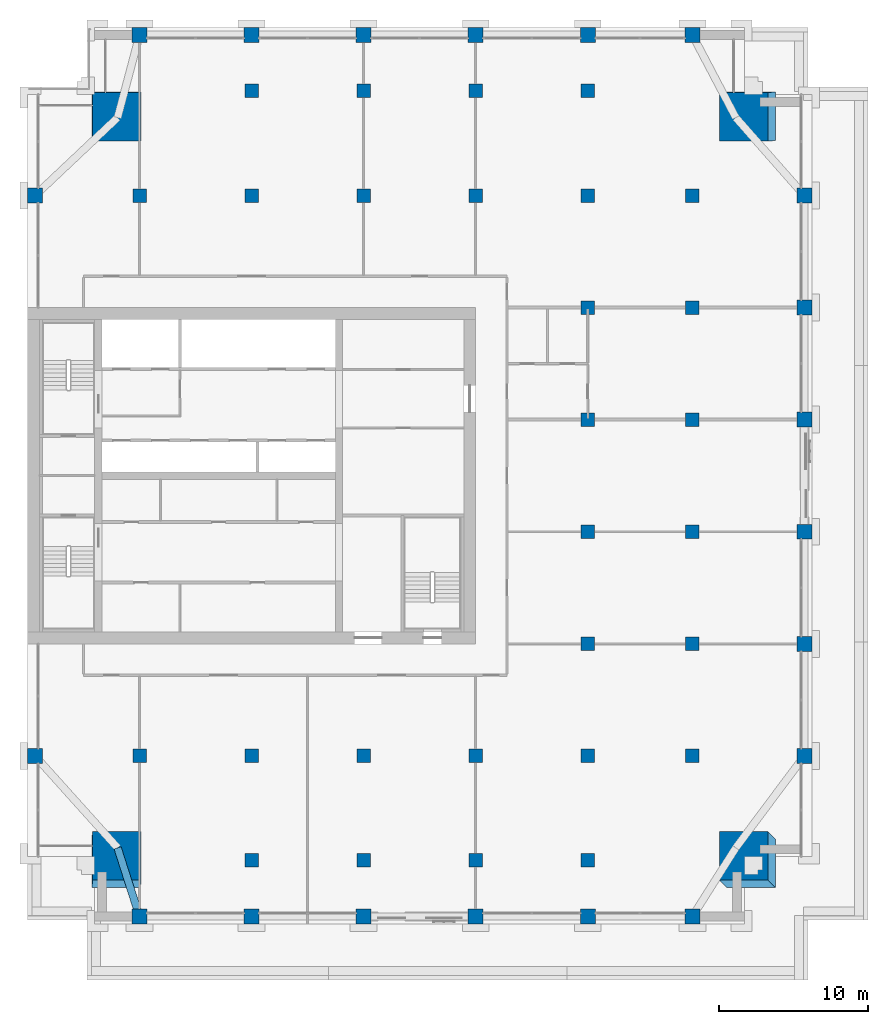
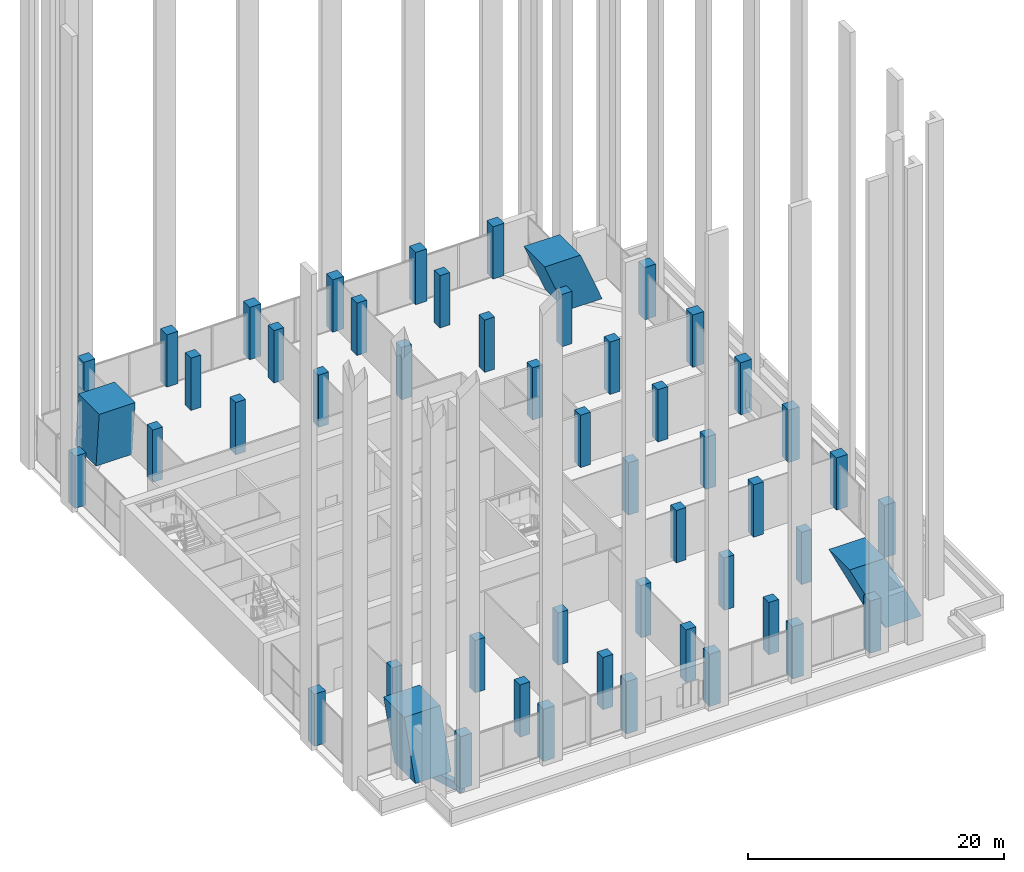
# One storey, part 1 of 19: 52 columns, 1 beam.
"""IFC4 building model written with IfcOpenShell, lengths in metres."""

from ifc_helpers import new_model, si_unit, direction, frame, origin, origin_2d, place, context, subcontext, project, spatial, rectangle, extrude, material, material_profile, profile_set, type_object, element, save


model = new_model("IFC4")

# Units and contexts
model_context = context("Model", 3, precision=1e-05, world=origin(), true_north=direction((0.0, 1.0)))
body_context = subcontext(model_context, "Body", "Model", "MODEL_VIEW")
ifc_project = project(units=[si_unit("LENGTHUNIT", "METRE"), si_unit("AREAUNIT", "SQUARE_METRE"), si_unit("VOLUMEUNIT", "CUBIC_METRE"), si_unit("PLANEANGLEUNIT", "RADIAN"), si_unit("MASSUNIT", "GRAM", prefix="KILO")], contexts=[model_context])

# Site, building, storey
site_placement = place(None, origin())
site = spatial("IfcSite", under=ifc_project, at=site_placement, CompositionType="ELEMENT")
building_placement = place(site_placement, origin())
building = spatial("IfcBuilding", under=site, at=building_placement, Name="Tamorin Gate", CompositionType="ELEMENT")
storey_placement = place(building_placement, frame((0.0, 0.0, 174.199951171875)))
storey = spatial("IfcBuildingStorey", under=building, at=storey_placement, Name="L42", CompositionType="ELEMENT", Elevation=174.199951171875)

# Columns
ifc_material_1 = material(Name="Concrete C60/75", Category="concrete")
ifc_material_profile_1 = material_profile(ifc_material_1, rectangle(XDim=1.0, YDim=1.0, at=origin_2d()), Name="RC 1000x1000")
ifc_profile_set_1 = profile_set([ifc_material_profile_1], Name="Concrete C60/75")
column_type_1 = type_object("IfcColumnType", Name="RC column 1000x1000 C60/75", PredefinedType="COLUMN", material=ifc_profile_set_1)
for number, where, z_axis, x_axis, name in (
    (1, (37.5, 41.75, 0.0), (0.0, 0.0, 1.0), (1.0, 0.0, 0.0), "Ring column L42"),
    (2, (45.0, 41.75, 0.0), (0.0, 0.0, 1.0), (1.0, 0.0, 0.0), "Ring column L42"),
    (3, (52.5, 41.75, 0.0), (0.0, 0.0, 1.0), (1.0, 0.0, 0.0), "Ring column L42"),
    (4, (60.0, 41.75, 0.0), (0.0, 0.0, 1.0), (1.0, 0.0, 0.0), "Ring column L42"),
    (5, (67.5, 41.75, 0.0), (0.0, 0.0, 1.0), (1.0, 0.0, 0.0), "Ring column L42"),
    (6, (74.5, 41.75, 0.0), (0.0, 0.0, 1.0), (1.0, 0.0, 0.0), "Ring column L42"),
    (7, (37.5, 100.75, 0.0), (0.0, 0.0, 1.0), (1.0, 0.0, 0.0), "Ring column L42"),
    (8, (45.0, 100.75, 0.0), (0.0, 0.0, 1.0), (1.0, 0.0, 0.0), "Ring column L42"),
    (9, (52.5, 100.75, 0.0), (0.0, 0.0, 1.0), (1.0, 0.0, 0.0), "Ring column L42"),
    (10, (60.0, 100.75, 0.0), (0.0, 0.0, 1.0), (1.0, 0.0, 0.0), "Ring column L42"),
    (11, (67.5, 100.75, 0.0), (0.0, 0.0, 1.0), (1.0, 0.0, 0.0), "Ring column L42"),
    (12, (74.5, 100.75, 0.0), (0.0, 0.0, 1.0), (1.0, 0.0, 0.0), "Ring column L42"),
    (13, (30.5, 52.5, 0.0), (0.0, 0.0, 1.0), (1.0, 0.0, 0.0), "Ring column L42"),
    (14, (30.5, 90.0, 0.0), (0.0, 0.0, 1.0), (1.0, 0.0, 0.0), "Ring column L42"),
    (15, (82.0, 52.5, 0.0), (0.0, 0.0, 1.0), (1.0, 0.0, 0.0), "Ring column L42"),
    (16, (82.0, 60.0, 0.0), (0.0, 0.0, 1.0), (1.0, 0.0, 0.0), "Ring column L42"),
    (17, (82.0, 67.5, 0.0), (0.0, 0.0, 1.0), (1.0, 0.0, 0.0), "Ring column L42"),
    (18, (82.0, 75.0, 0.0), (0.0, 0.0, 1.0), (1.0, 0.0, 0.0), "Ring column L42"),
    (19, (82.0, 82.5, 0.0), (0.0, 0.0, 1.0), (1.0, 0.0, 0.0), "Ring column L42"),
    (20, (82.0, 90.0, 0.0), (0.0, 0.0, 1.0), (1.0, 0.0, 0.0), "Ring column L42"),
):
    element("IfcColumn", number, at=place(storey_placement, frame(where, z_axis=z_axis, x_axis=x_axis)), inside=storey, type_object=column_type_1, Name=name, PredefinedType="COLUMN", context=body_context, shape_type="SweptSolid", body=[
        extrude(rectangle(XDim=1.0, YDim=1.0, at=origin_2d()), origin(), (0.0, 0.0, 1.0), 5.0),
    ])
ifc_material_profile_2 = material_profile(ifc_material_1, rectangle(XDim=3.25, YDim=3.25, at=origin_2d()), Name="RC 3250x3250")
ifc_profile_set_2 = profile_set([ifc_material_profile_2], Name="Concrete C60/75")
column_type_2 = type_object("IfcColumnType", Name="RC column 3250x3250 C60/75", PredefinedType="COLUMN", material=ifc_profile_set_2)
column_1_placement = place(storey_placement, frame((35.9375, 45.3125, 0.0), z_axis=(0.0, 0.0, 1.0), x_axis=(1.0, 0.0, 0.0)))
element("IfcColumn", 21, at=column_1_placement, inside=storey, type_object=column_type_2, Name="Mega column SW L42", PredefinedType="COLUMN", context=body_context, shape_type="SweptSolid", body=[
    extrude(rectangle(XDim=3.25, YDim=3.25, at=origin_2d()), origin(), (0.034645635877, 0.381101994652, 0.9238836234), 5.411865234375),
])
column_2_placement = place(storey_placement, frame((78.4375, 45.3125, 0.0), z_axis=(0.0, 0.0, 1.0), x_axis=(0.0, 1.0, 0.0)))
element("IfcColumn", 22, at=column_2_placement, inside=storey, type_object=column_type_2, Name="Mega column SE L42", PredefinedType="COLUMN", context=body_context, shape_type="SweptSolid", body=[
    extrude(rectangle(XDim=3.25, YDim=3.25, at=origin_2d()), origin(), (0.356304181311, 0.356304181311, 0.86376771227), 5.78857421875),
])
column_3_placement = place(storey_placement, frame((35.9375, 95.3125, 0.0), z_axis=(0.0, 0.0, 1.0), x_axis=(0.0, -1.0, 0.0)))
element("IfcColumn", 23, at=column_3_placement, inside=storey, type_object=column_type_2, Name="Mega column NW L42", PredefinedType="COLUMN", context=body_context, shape_type="SweptSolid", body=[
    extrude(rectangle(XDim=3.25, YDim=3.25, at=origin_2d()), origin(), (0.037447376602, 0.037447376602, 0.998596709373), 5.007080078125),
])
column_4_placement = place(storey_placement, frame((78.4375, 95.3125, 0.0), z_axis=(0.0, 0.0, 1.0), x_axis=(-1.0, 0.0, 0.0)))
element("IfcColumn", 24, at=column_4_placement, inside=storey, type_object=column_type_2, Name="Mega column NE L42", PredefinedType="COLUMN", context=body_context, shape_type="SweptSolid", body=[
    extrude(rectangle(XDim=3.25, YDim=3.25, at=origin_2d()), origin(), (0.381101994652, 0.034645635877, 0.9238836234), 5.411865234375),
])
ifc_material_profile_3 = material_profile(ifc_material_1, rectangle(XDim=0.89990234375, YDim=0.89990234375, at=origin_2d()), Name="RC 900x900")
ifc_profile_set_3 = profile_set([ifc_material_profile_3], Name="Concrete C60/75")
column_type_3 = type_object("IfcColumnType", Name="RC column 900x900 C60/75", PredefinedType="COLUMN", material=ifc_profile_set_3)
for number, where, z_axis, x_axis, name in (
    (25, (37.5, 52.5, 0.0), (0.0, 0.0, 1.0), (1.0, 0.0, 0.0), "Interior column L42"),
    (26, (37.5, 90.0, 0.0), (0.0, 0.0, 1.0), (1.0, 0.0, 0.0), "Interior column L42"),
    (27, (45.0, 45.5, 0.0), (0.0, 0.0, 1.0), (1.0, 0.0, 0.0), "Interior column L42"),
    (28, (45.0, 52.5, 0.0), (0.0, 0.0, 1.0), (1.0, 0.0, 0.0), "Interior column L42"),
    (29, (45.0, 90.0, 0.0), (0.0, 0.0, 1.0), (1.0, 0.0, 0.0), "Interior column L42"),
    (30, (45.0, 97.0, 0.0), (0.0, 0.0, 1.0), (1.0, 0.0, 0.0), "Interior column L42"),
    (31, (52.5, 45.5, 0.0), (0.0, 0.0, 1.0), (1.0, 0.0, 0.0), "Interior column L42"),
    (32, (52.5, 52.5, 0.0), (0.0, 0.0, 1.0), (1.0, 0.0, 0.0), "Interior column L42"),
    (33, (52.5, 90.0, 0.0), (0.0, 0.0, 1.0), (1.0, 0.0, 0.0), "Interior column L42"),
    (34, (52.5, 97.0, 0.0), (0.0, 0.0, 1.0), (1.0, 0.0, 0.0), "Interior column L42"),
    (35, (60.0, 45.5, 0.0), (0.0, 0.0, 1.0), (1.0, 0.0, 0.0), "Interior column L42"),
    (36, (60.0, 52.5, 0.0), (0.0, 0.0, 1.0), (1.0, 0.0, 0.0), "Interior column L42"),
    (37, (60.0, 90.0, 0.0), (0.0, 0.0, 1.0), (1.0, 0.0, 0.0), "Interior column L42"),
    (38, (60.0, 97.0, 0.0), (0.0, 0.0, 1.0), (1.0, 0.0, 0.0), "Interior column L42"),
    (39, (67.5, 45.5, 0.0), (0.0, 0.0, 1.0), (1.0, 0.0, 0.0), "Interior column L42"),
    (40, (67.5, 52.5, 0.0), (0.0, 0.0, 1.0), (1.0, 0.0, 0.0), "Interior column L42"),
    (41, (67.5, 60.0, 0.0), (0.0, 0.0, 1.0), (1.0, 0.0, 0.0), "Interior column L42"),
    (42, (67.5, 67.5, 0.0), (0.0, 0.0, 1.0), (1.0, 0.0, 0.0), "Interior column L42"),
    (43, (67.5, 75.0, 0.0), (0.0, 0.0, 1.0), (1.0, 0.0, 0.0), "Interior column L42"),
    (44, (67.5, 82.5, 0.0), (0.0, 0.0, 1.0), (1.0, 0.0, 0.0), "Interior column L42"),
    (45, (67.5, 90.0, 0.0), (0.0, 0.0, 1.0), (1.0, 0.0, 0.0), "Interior column L42"),
    (46, (67.5, 97.0, 0.0), (0.0, 0.0, 1.0), (1.0, 0.0, 0.0), "Interior column L42"),
    (47, (74.5, 52.5, 0.0), (0.0, 0.0, 1.0), (1.0, 0.0, 0.0), "Interior column L42"),
    (48, (74.5, 60.0, 0.0), (0.0, 0.0, 1.0), (1.0, 0.0, 0.0), "Interior column L42"),
    (49, (74.5, 67.5, 0.0), (0.0, 0.0, 1.0), (1.0, 0.0, 0.0), "Interior column L42"),
    (50, (74.5, 75.0, 0.0), (0.0, 0.0, 1.0), (1.0, 0.0, 0.0), "Interior column L42"),
    (51, (74.5, 82.5, 0.0), (0.0, 0.0, 1.0), (1.0, 0.0, 0.0), "Interior column L42"),
    (52, (74.5, 90.0, 0.0), (0.0, 0.0, 1.0), (1.0, 0.0, 0.0), "Interior column L42"),
):
    element("IfcColumn", number, at=place(storey_placement, frame(where, z_axis=z_axis, x_axis=x_axis)), inside=storey, type_object=column_type_3, Name=name, PredefinedType="COLUMN", context=body_context, shape_type="SweptSolid", body=[
        extrude(rectangle(XDim=0.89990234375, YDim=0.89990234375, at=origin_2d()), origin(), (0.0, 0.0, 1.0), 5.0),
    ])

# Beam
ifc_material_2 = material(Name="Concrete C50/60", Category="concrete")
ifc_material_profile_4 = material_profile(ifc_material_2, rectangle(XDim=0.5, YDim=0.75, at=origin_2d()), Name="RC 500x750")
ifc_profile_set_4 = profile_set([ifc_material_profile_4], Name="Concrete C50/60")
beam_type = type_object("IfcBeamType", Name="RC spandrel 500x750 C50/60", PredefinedType="BEAM", material=ifc_profile_set_4)
beam_placement = place(storey_placement, frame((36.03125, 46.34375, -0.375), z_axis=(0.30454060942, -0.952499352868, 0.0), x_axis=(0.952499352868, 0.30454060942, 0.0)))
element("IfcBeam", 53, at=beam_placement, inside=storey, type_object=beam_type, Name="Corner tie beam L42", PredefinedType="BEAM", context=body_context, shape_type="SweptSolid", body=[
    extrude(rectangle(XDim=0.5, YDim=0.75, at=origin_2d()), origin(), (0.0, 0.0, 1.0), 4.82275390625),
])

save(model, "model.ifc")
